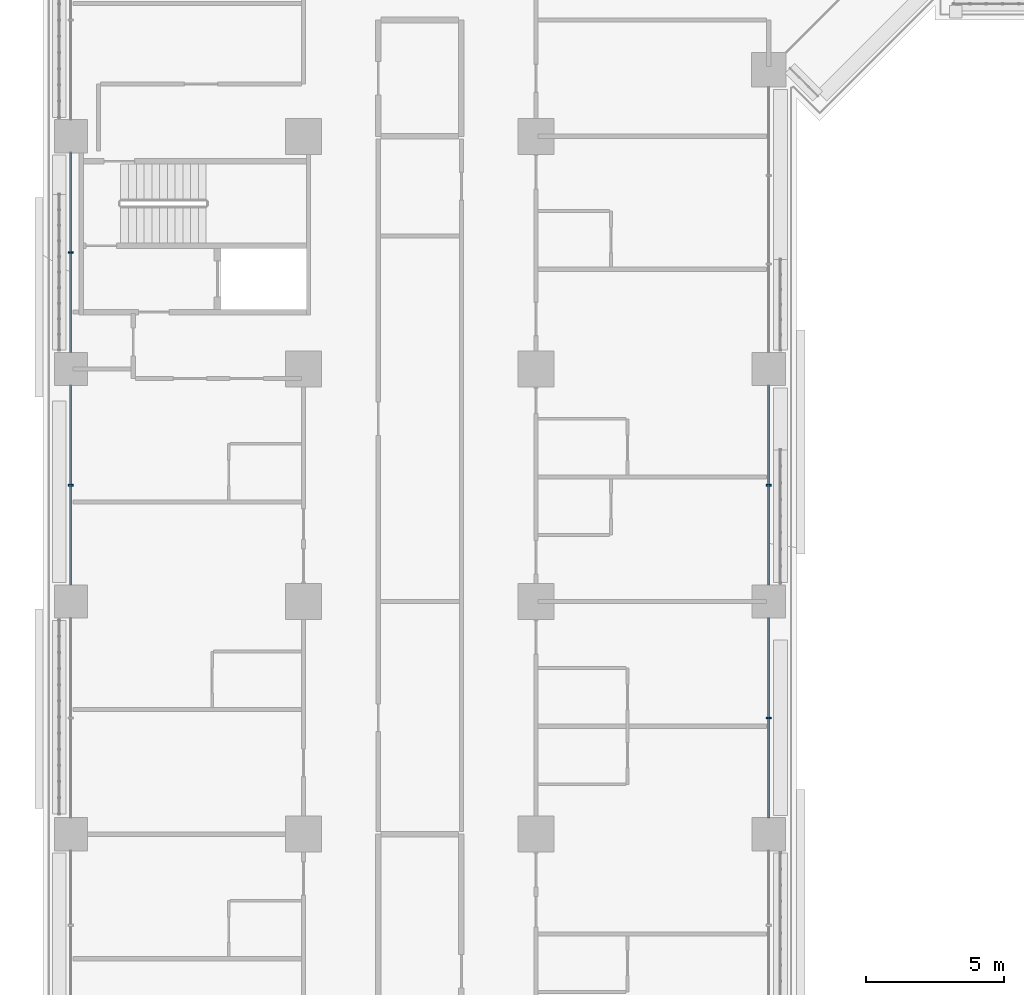
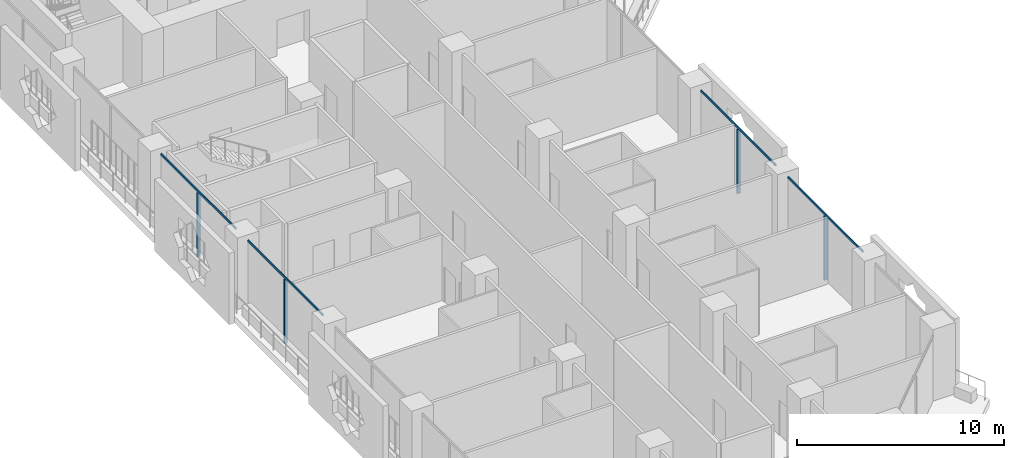
# One storey, part 3 of 28: 8 members, 2 elements without a shape of their own.
"""IFC4 building model written with IfcOpenShell, lengths in metres."""

from ifc_helpers import new_model, si_unit, direction, frame, origin, origin_2d, place, context, subcontext, project, spatial, rectangle, extrude, material, layer, layer_set, material_profile, profile_set, type_object, element, aggregate, save


model = new_model("IFC4")

# Units and contexts
model_context = context("Model", 3, precision=1e-05, world=origin(), true_north=direction((0.0, 1.0)))
body_context = subcontext(model_context, "Body", "Model", "MODEL_VIEW")
ifc_project = project(units=[si_unit("LENGTHUNIT", "METRE"), si_unit("AREAUNIT", "SQUARE_METRE"), si_unit("VOLUMEUNIT", "CUBIC_METRE"), si_unit("PLANEANGLEUNIT", "RADIAN"), si_unit("MASSUNIT", "GRAM", prefix="KILO")], contexts=[model_context])

# Site, building, storey
site_placement = place(None, origin())
site = spatial("IfcSite", under=ifc_project, at=site_placement, CompositionType="ELEMENT")
building_placement = place(site_placement, origin())
building = spatial("IfcBuilding", under=site, at=building_placement, Name="Kawkab Arch Medical Tower", CompositionType="ELEMENT")
storey_placement = place(building_placement, frame((0.0, 0.0, 81.199951171875)))
storey = spatial("IfcBuildingStorey", under=building, at=storey_placement, Name="L18", CompositionType="ELEMENT", Elevation=81.199951171875)

# Curtain wall, members
ifc_material_1 = material(Name="Bronze anodised aluminium curtain wall frame", Category="aluminium")
ifc_layer = layer(ifc_material_1, 0.159912109375)
ifc_layer_set = layer_set([ifc_layer], Name="Bronze anodised aluminium curtain wall frame")
curtain_wall_type = type_object("IfcCurtainWallType", Name="CW1 ward curtain wall", PredefinedType="NOTDEFINED", material=ifc_layer_set)
placement = place(storey_placement, origin())
curtain_wall_1 = element("IfcCurtainWall", 1, at=placement, inside=storey, type_object=curtain_wall_type, Name="CW1 Ward curtain wall R01", PredefinedType="NOTDEFINED")
ifc_material_2 = material(Name="Bronze anodised aluminium curtain wall frame", Category="aluminium")
ifc_material_profile_1 = material_profile(ifc_material_2, rectangle(XDim=0.179931640625, YDim=0.06005859375, at=origin_2d()), Name="AL 60x180")
ifc_profile_set_1 = profile_set([ifc_material_profile_1], Name="Bronze anodised aluminium curtain wall frame")
member_type_1 = type_object("IfcMemberType", Name="CW1 mullion 60 x 180", PredefinedType="MULLION", material=ifc_profile_set_1)
member_1_placement = place(storey_placement, frame((0.0, -37.800048828125, 0.0), z_axis=(0.0, 0.0, 1.0), x_axis=(1.0, 0.0, 0.0)))
member_1 = element("IfcMember", 2, at=member_1_placement, type_object=member_type_1, Name="CW1 mullion 4.1", PredefinedType="MULLION", context=body_context, shape_type="SweptSolid", body=[
    extrude(rectangle(XDim=0.179931640625, YDim=0.06005859375, at=origin_2d()), origin(), (0.0, 0.0, 1.0), 3.780029296875),
])
member_2_placement = place(storey_placement, frame((0.0, -46.199951171875, 0.0), z_axis=(0.0, 0.0, 1.0), x_axis=(1.0, 0.0, 0.0)))
member_2 = element("IfcMember", 3, at=member_2_placement, type_object=member_type_1, Name="CW1 mullion 5.1", PredefinedType="MULLION", context=body_context, shape_type="SweptSolid", body=[
    extrude(rectangle(XDim=0.179931640625, YDim=0.06005859375, at=origin_2d()), origin(), (0.0, 0.0, 1.0), 3.780029296875),
])

curtain_wall_2 = element("IfcCurtainWall", 4, at=placement, inside=storey, type_object=curtain_wall_type, Name="CW1 Ward curtain wall R05", PredefinedType="NOTDEFINED")
member_3_placement = place(storey_placement, frame((25.199951171875, -54.60009765625, 0.0), z_axis=(0.0, 0.0, 1.0), x_axis=(-1.0, 0.0, 0.0)))
member_3 = element("IfcMember", 5, at=member_3_placement, type_object=member_type_1, Name="CW1 mullion 2.1", PredefinedType="MULLION", context=body_context, shape_type="SweptSolid", body=[
    extrude(rectangle(XDim=0.179931640625, YDim=0.06005859375, at=origin_2d()), origin(), (0.0, 0.0, 1.0), 3.780029296875),
])
member_4_placement = place(storey_placement, frame((25.199951171875, -46.199951171875, 0.0), z_axis=(0.0, 0.0, 1.0), x_axis=(-1.0, 0.0, 0.0)))
member_4 = element("IfcMember", 6, at=member_4_placement, type_object=member_type_1, Name="CW1 mullion 3.1", PredefinedType="MULLION", context=body_context, shape_type="SweptSolid", body=[
    extrude(rectangle(XDim=0.179931640625, YDim=0.06005859375, at=origin_2d()), origin(), (0.0, 0.0, 1.0), 3.780029296875),
])

# Member
ifc_material_3 = material(Name="Bronze anodised aluminium curtain wall frame", Category="aluminium")
ifc_material_profile_2 = material_profile(ifc_material_3, rectangle(XDim=0.06005859375, YDim=0.1201171875, at=origin_2d()), Name="AL 60x120")
ifc_profile_set_2 = profile_set([ifc_material_profile_2], Name="Bronze anodised aluminium curtain wall frame")
member_type_2 = type_object("IfcMemberType", Name="CW1 transom 120 x 60", PredefinedType="USERDEFINED", material=ifc_profile_set_2)
member_5_placement = place(storey_placement, frame((0.0, -34.199951171875, 3.840087890625), z_axis=(0.0, -1.0, 0.0), x_axis=(1.0, 0.0, 0.0)))
member_5 = element("IfcMember", 7, at=member_5_placement, type_object=member_type_2, Name="CW1 transom 4", ObjectType="TRANSOM", PredefinedType="USERDEFINED", context=body_context, shape_type="SweptSolid", body=[
    extrude(rectangle(XDim=0.06005859375, YDim=0.1201171875, at=origin_2d()), origin(), (0.0, 0.0, 1.0), 7.199951171875),
])

member_6_placement = place(storey_placement, frame((0.0, -42.60009765625, 3.840087890625), z_axis=(0.0, -1.0, 0.0), x_axis=(1.0, 0.0, 0.0)))
member_6 = element("IfcMember", 8, at=member_6_placement, type_object=member_type_2, Name="CW1 transom 5", ObjectType="TRANSOM", PredefinedType="USERDEFINED", context=body_context, shape_type="SweptSolid", body=[
    extrude(rectangle(XDim=0.06005859375, YDim=0.1201171875, at=origin_2d()), origin(), (0.0, 0.0, 1.0), 7.199951171875),
])

aggregate(curtain_wall_1, [member_5, member_1, member_6, member_2])

member_7_placement = place(storey_placement, frame((25.199951171875, -58.199951171875, 3.840087890625), z_axis=(0.0, 1.0, 0.0), x_axis=(-1.0, 0.0, 0.0)))
member_7 = element("IfcMember", 9, at=member_7_placement, type_object=member_type_2, Name="CW1 transom 2", ObjectType="TRANSOM", PredefinedType="USERDEFINED", context=body_context, shape_type="SweptSolid", body=[
    extrude(rectangle(XDim=0.06005859375, YDim=0.1201171875, at=origin_2d()), origin(), (0.0, 0.0, 1.0), 7.199951171875),
])

member_8_placement = place(storey_placement, frame((25.199951171875, -49.800048828125, 3.840087890625), z_axis=(0.0, 1.0, 0.0), x_axis=(-1.0, 0.0, 0.0)))
member_8 = element("IfcMember", 10, at=member_8_placement, type_object=member_type_2, Name="CW1 transom 3", ObjectType="TRANSOM", PredefinedType="USERDEFINED", context=body_context, shape_type="SweptSolid", body=[
    extrude(rectangle(XDim=0.06005859375, YDim=0.1201171875, at=origin_2d()), origin(), (0.0, 0.0, 1.0), 7.199951171875),
])

aggregate(curtain_wall_2, [member_7, member_3, member_8, member_4])

save(model, "model.ifc")
